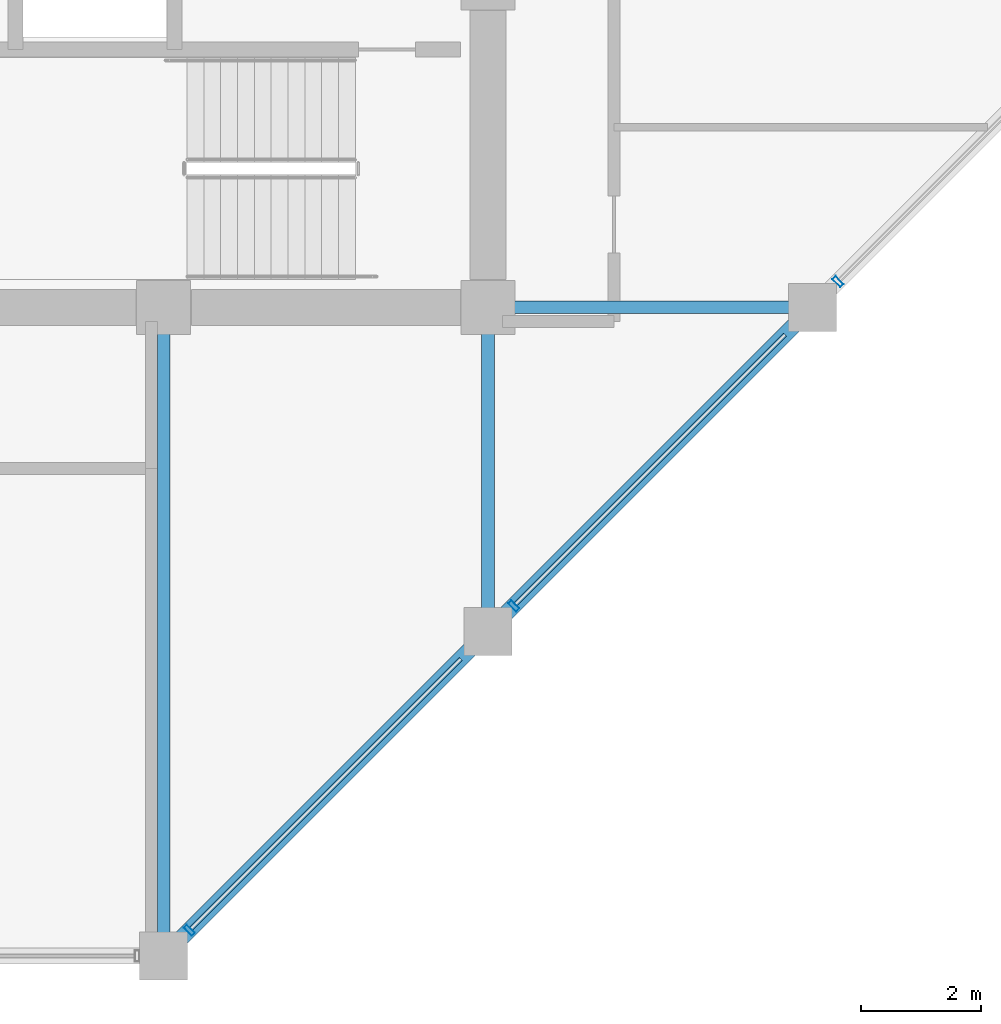
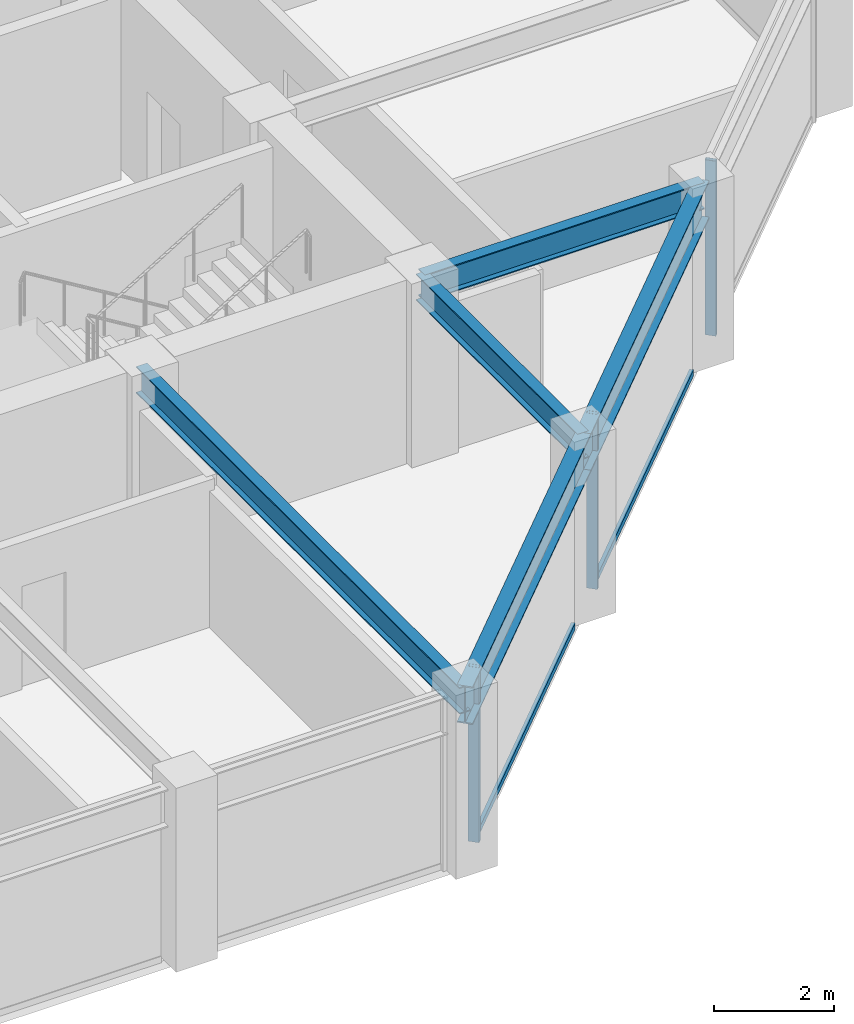
# One storey, part 12 of 32: 5 beams, 5 members, 1 element without a shape of its own.
"""IFC4 building model written with IfcOpenShell, lengths in metres."""

from ifc_helpers import new_model, si_unit, direction, frame, origin, origin_2d, place, context, subcontext, project, spatial, hollow_rectangle, i_section, extrude, material, layer, layer_set, material_profile, profile_set, type_object, element, aggregate, save


model = new_model("IFC4")

# Units and contexts
model_context = context("Model", 3, precision=1e-05, world=origin(), true_north=direction((0.0, 1.0)))
body_context = subcontext(model_context, "Body", "Model", "MODEL_VIEW")
ifc_project = project(units=[si_unit("LENGTHUNIT", "METRE"), si_unit("AREAUNIT", "SQUARE_METRE"), si_unit("VOLUMEUNIT", "CUBIC_METRE"), si_unit("PLANEANGLEUNIT", "RADIAN"), si_unit("MASSUNIT", "GRAM", prefix="KILO")], contexts=[model_context])

# Site, building, storey
site_placement = place(None, origin())
site = spatial("IfcSite", under=ifc_project, at=site_placement, CompositionType="ELEMENT")
building_placement = place(site_placement, origin())
building = spatial("IfcBuilding", under=site, at=building_placement, Name="Surkhivell Harbour Commons", CompositionType="ELEMENT")
storey_placement = place(building_placement, frame((0.0, 0.0, 223.5)))
storey = spatial("IfcBuildingStorey", under=building, at=storey_placement, Name="L58", CompositionType="ELEMENT", Elevation=223.5)

# Beams
ifc_material_1 = material(Name="Steel S355", Category="steel")
ifc_material_profile_1 = material_profile(ifc_material_1, i_section(OverallWidth=0.2119140625, OverallDepth=0.5439453125, WebThickness=0.0126953125, FlangeThickness=0.021240234375, at=origin_2d()), Name="UB533x210x122")
ifc_profile_set_1 = profile_set([ifc_material_profile_1], Name="Steel S355")
beam_type_1 = type_object("IfcBeamType", Name="BM-GRD-533A", PredefinedType="BEAM", material=ifc_profile_set_1)
beam_1_placement = place(storey_placement, frame((5.39990234375, -21.60009765625, 3.298095703125), z_axis=(0.0, 1.0, 0.0), x_axis=(-1.0, 0.0, 0.0)))
element("IfcBeam", 1, at=beam_1_placement, inside=storey, type_object=beam_type_1, Name="L58 Floor Girder (5.4,-21.6)", PredefinedType="BEAM", context=body_context, shape_type="SweptSolid", body=[
    extrude(i_section(OverallWidth=0.2119140625, OverallDepth=0.5439453125, WebThickness=0.0126953125, FlangeThickness=0.021240234375, at=origin_2d()), origin(), (0.0, 0.0, 1.0), 10.800048828125),
])
for number, where, z_axis, x_axis, name in (
    (2, (10.800048828125, -16.199951171875, 3.298095703125), (0.0, 1.0, 0.0), (-1.0, 0.0, 0.0), "L58 Floor Girder (10.8,-16.2)"),
    (3, (10.800048828125, -10.800048828125, 3.298095703125), (1.0, 0.0, 0.0), (0.0, 1.0, 0.0), "L58 Floor Girder (10.8,-10.8)"),
):
    element("IfcBeam", number, at=place(storey_placement, frame(where, z_axis=z_axis, x_axis=x_axis)), inside=storey, type_object=beam_type_1, Name=name, PredefinedType="BEAM", context=body_context, shape_type="SweptSolid", body=[
        extrude(i_section(OverallWidth=0.2119140625, OverallDepth=0.5439453125, WebThickness=0.0126953125, FlangeThickness=0.021240234375, at=origin_2d()), origin(), (0.0, 0.0, 1.0), 5.39990234375),
    ])
ifc_material_profile_2 = material_profile(ifc_material_1, i_section(OverallWidth=0.26806640625, OverallDepth=0.77001953125, WebThickness=0.015625, FlangeThickness=0.025390625, at=origin_2d()), Name="UB762x267x197")
ifc_profile_set_2 = profile_set([ifc_material_profile_2], Name="Steel S355")
beam_type_2 = type_object("IfcBeamType", Name="BM-SPN-762", PredefinedType="SPANDREL", material=ifc_profile_set_2)
beam_2_placement = place(storey_placement, frame((5.39990234375, -21.60009765625, 3.18505859375), z_axis=(0.707106781187, 0.707106781187, 0.0), x_axis=(-0.707106781187, 0.707106781187, 0.0)))
element("IfcBeam", 4, at=beam_2_placement, inside=storey, type_object=beam_type_2, Name="L58 Tube Spandrel (5.4,-21.6)", PredefinedType="SPANDREL", context=body_context, shape_type="SweptSolid", body=[
    extrude(i_section(OverallWidth=0.26806640625, OverallDepth=0.77001953125, WebThickness=0.015625, FlangeThickness=0.025390625, at=origin_2d()), origin(), (0.0, 0.0, 1.0), 7.636962890625),
])
beam_3_placement = place(storey_placement, frame((10.800048828125, -16.199951171875, 3.18505859375), z_axis=(0.707106781187, 0.707106781187, 0.0), x_axis=(-0.707106781187, 0.707106781187, 0.0)))
element("IfcBeam", 5, at=beam_3_placement, inside=storey, type_object=beam_type_2, Name="L58 Tube Spandrel (10.8,-16.2)", PredefinedType="SPANDREL", context=body_context, shape_type="SweptSolid", body=[
    extrude(i_section(OverallWidth=0.26806640625, OverallDepth=0.77001953125, WebThickness=0.015625, FlangeThickness=0.025390625, at=origin_2d()), origin(), (0.0, 0.0, 1.0), 7.63671875),
])

# Curtain wall, members
ifc_material_2 = material(Name="Anodised pale-metal aluminium and insulated glazing", Category="aluminium")
ifc_layer = layer(ifc_material_2, 0.18994140625)
ifc_layer_set = layer_set([ifc_layer], Name="Anodised pale-metal aluminium and insulated glazing")
curtain_wall_type = type_object("IfcCurtainWallType", Name="CW-SYS-Z3", PredefinedType="NOTDEFINED", material=ifc_layer_set)
curtain_wall_placement = place(storey_placement, origin())
curtain_wall = element("IfcCurtainWall", 6, at=curtain_wall_placement, inside=storey, type_object=curtain_wall_type, Name="L58 Curtain Wall CW-L58-E01", PredefinedType="NOTDEFINED")
ifc_material_3 = material(Name="Anodised pale-metal aluminium alloy 6063-T6", Category="aluminium")
ifc_material_profile_3 = material_profile(ifc_material_3, hollow_rectangle(XDim=0.074951171875, YDim=0.18994140625, WallThickness=0.00390625, at=origin_2d()), Name="ALU-MULL-75x190")
ifc_profile_set_3 = profile_set([ifc_material_profile_3], Name="Anodised pale-metal aluminium alloy 6063-T6")
member_type_1 = type_object("IfcMemberType", Name="CWM-190", PredefinedType="MULLION", material=ifc_profile_set_3)
member_1_placement = place(storey_placement, frame((5.828125, -21.171875, 0.0), z_axis=(0.0, 0.0, 1.0), x_axis=(0.707106781187, 0.707106781187, 0.0)))
member_1 = element("IfcMember", 7, at=member_1_placement, type_object=member_type_1, Name="CW-Z3 mullion 1", PredefinedType="MULLION", context=body_context, shape_type="SweptSolid", body=[
    extrude(hollow_rectangle(XDim=0.074951171875, YDim=0.18994140625, WallThickness=0.00390625, at=origin_2d()), origin(), (0.0, 0.0, 1.0), 3.570068359375),
])
member_2_placement = place(storey_placement, frame((11.228271484375, -15.771728515625, 0.0), z_axis=(0.0, 0.0, 1.0), x_axis=(0.707106781187, 0.707106781187, 0.0)))
member_2 = element("IfcMember", 8, at=member_2_placement, type_object=member_type_1, Name="CW-Z3 mullion 2", PredefinedType="MULLION", context=body_context, shape_type="SweptSolid", body=[
    extrude(hollow_rectangle(XDim=0.074951171875, YDim=0.18994140625, WallThickness=0.00390625, at=origin_2d()), origin(), (0.0, 0.0, 1.0), 3.570068359375),
])
member_3_placement = place(storey_placement, frame((16.628173828125, -10.371826171875, 0.0), z_axis=(0.0, 0.0, 1.0), x_axis=(0.707106781187, 0.707106781187, 0.0)))
member_3 = element("IfcMember", 9, at=member_3_placement, type_object=member_type_1, Name="CW-Z3 mullion 3", PredefinedType="MULLION", context=body_context, shape_type="SweptSolid", body=[
    extrude(hollow_rectangle(XDim=0.074951171875, YDim=0.18994140625, WallThickness=0.00390625, at=origin_2d()), origin(), (0.0, 0.0, 1.0), 3.570068359375),
])
ifc_material_4 = material(Name="Champagne anodised aluminium alloy 6063-T6", Category="aluminium")
ifc_material_profile_4 = material_profile(ifc_material_4, hollow_rectangle(XDim=0.070068359375, YDim=0.1298828125, WallThickness=0.00341796875, at=origin_2d()), Name="ALU-TRAN-70x130")
ifc_profile_set_4 = profile_set([ifc_material_profile_4], Name="Champagne anodised aluminium alloy 6063-T6")
member_type_2 = type_object("IfcMemberType", Name="CWT-130", PredefinedType="USERDEFINED", material=ifc_profile_set_4)
member_4_placement = place(storey_placement, frame((5.854736328125, -21.145263671875, 0.06494140625), z_axis=(0.707106781187, 0.707106781187, 0.0), x_axis=(-0.707106781187, 0.707106781187, 0.0)))
member_4 = element("IfcMember", 10, at=member_4_placement, type_object=member_type_2, Name="CW-Z3 transom 1.1", ObjectType="TRANSOM", PredefinedType="USERDEFINED", context=body_context, shape_type="SweptSolid", body=[
    extrude(hollow_rectangle(XDim=0.070068359375, YDim=0.1298828125, WallThickness=0.00341796875, at=origin_2d()), origin(), (0.0, 0.0, 1.0), 6.3505859375),
])
member_5_placement = place(storey_placement, frame((11.254638671875, -15.745361328125, 0.06494140625), z_axis=(0.707106781187, 0.707106781187, 0.0), x_axis=(-0.707106781187, 0.707106781187, 0.0)))
member_5 = element("IfcMember", 11, at=member_5_placement, type_object=member_type_2, Name="CW-Z3 transom 2.1", ObjectType="TRANSOM", PredefinedType="USERDEFINED", context=body_context, shape_type="SweptSolid", body=[
    extrude(hollow_rectangle(XDim=0.070068359375, YDim=0.1298828125, WallThickness=0.00341796875, at=origin_2d()), origin(), (0.0, 0.0, 1.0), 6.350830078125),
])
aggregate(curtain_wall, [member_1, member_4, member_2, member_5, member_3])

save(model, "model.ifc")
